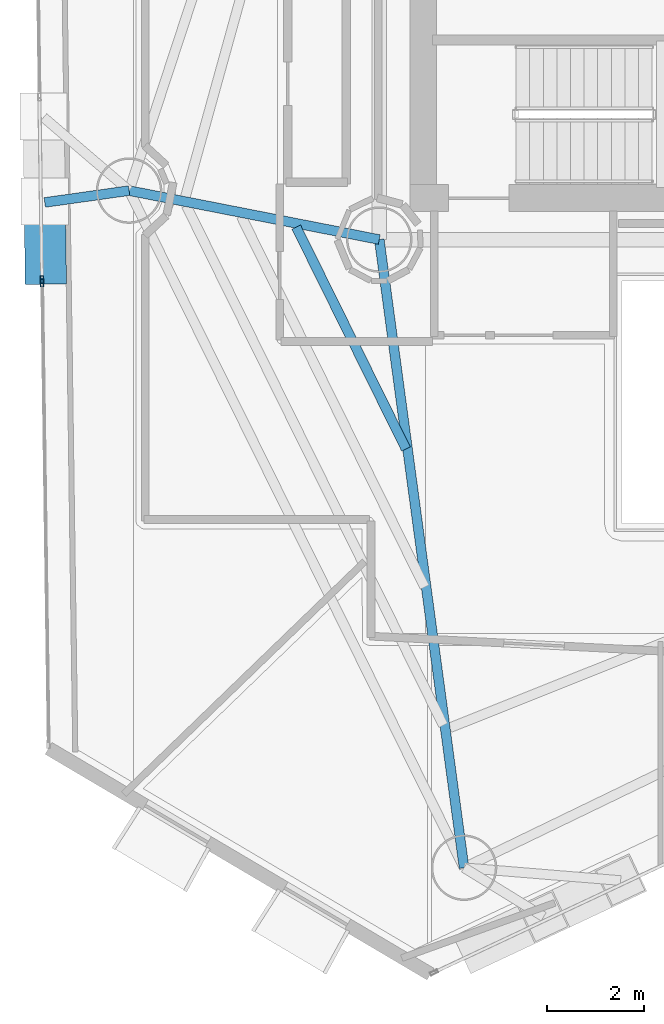
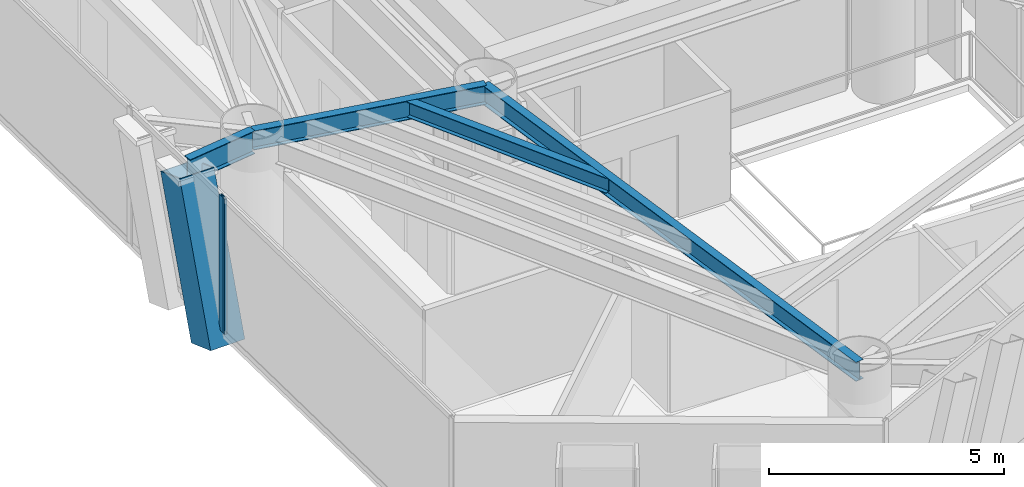
# One storey, part 4 of 20: 4 beams, 3 members, 2 elements without a shape of their own.
"""IFC4 building model written with IfcOpenShell, lengths in metres."""

from ifc_helpers import new_model, si_unit, direction, frame, origin, origin_2d, place, context, subcontext, project, spatial, hollow_rectangle, i_section, extrude, material, layer, layer_set, material_profile, profile_set, type_object, element, aggregate, save


model = new_model("IFC4")

# Units and contexts
model_context = context("Model", 3, precision=1e-05, world=origin(), true_north=direction((0.0, 1.0)))
body_context = subcontext(model_context, "Body", "Model", "MODEL_VIEW")
ifc_project = project(units=[si_unit("LENGTHUNIT", "METRE"), si_unit("AREAUNIT", "SQUARE_METRE"), si_unit("VOLUMEUNIT", "CUBIC_METRE"), si_unit("PLANEANGLEUNIT", "RADIAN"), si_unit("MASSUNIT", "GRAM", prefix="KILO")], contexts=[model_context])

# Site, building, storey
site_placement = place(None, origin())
site = spatial("IfcSite", under=ifc_project, at=site_placement, CompositionType="ELEMENT")
building_placement = place(site_placement, origin())
building = spatial("IfcBuilding", under=site, at=building_placement, Name="Qianvela Tower", CompositionType="ELEMENT")
storey_placement = place(building_placement, frame((0.0, 0.0, 151.300048828125)))
storey = spatial("IfcBuildingStorey", under=building, at=storey_placement, Name="L38", CompositionType="ELEMENT", Elevation=151.300048828125)

# Beams
ifc_material_1 = material(Name="Steel Q355B", Category="steel")
ifc_material_profile_1 = material_profile(ifc_material_1, i_section(OverallWidth=0.199951171875, OverallDepth=0.39990234375, WebThickness=0.008056640625, FlangeThickness=0.012939453125, at=origin_2d()), Name="HN400x200x8x13")
ifc_profile_set_1 = profile_set([ifc_material_profile_1], Name="Steel Q355B")
beam_type_1 = type_object("IfcBeamType", Name="BM-HN400-JOIST", PredefinedType="JOIST", material=ifc_profile_set_1)
beam_1_placement = place(storey_placement, frame((26.89013671875, 24.10693359375, 3.31787109375), z_axis=(0.443417880161, -0.896315002415, 0.0), x_axis=(0.896315002415, 0.443417880161, 0.0)))
element("IfcBeam", 1, at=beam_1_placement, inside=storey, type_object=beam_type_1, Name="L38 Secondary Composite Floor Joist 4.1", PredefinedType="JOIST", context=body_context, shape_type="SweptSolid", body=[
    extrude(i_section(OverallWidth=0.199951171875, OverallDepth=0.39990234375, WebThickness=0.008056640625, FlangeThickness=0.012939453125, at=origin_2d()), origin(), (0.0, 0.0, 1.0), 5.099609375),
])
ifc_material_2 = material(Name="Steel Q355B", Category="steel")
ifc_material_profile_2 = material_profile(ifc_material_2, i_section(OverallWidth=0.199951171875, OverallDepth=0.5, WebThickness=0.010009765625, FlangeThickness=0.01611328125, at=origin_2d()), Name="HN500x200x10x16")
ifc_profile_set_2 = profile_set([ifc_material_profile_2], Name="Steel Q355B")
beam_type_2 = type_object("IfcBeamType", Name="BM-HN500-GIRD", PredefinedType="BEAM", material=ifc_profile_set_2)
beam_2_placement = place(storey_placement, frame((28.60009765625, 23.85009765625, 3.26806640625), z_axis=(-0.98137875074, 0.192082658238, 0.0), x_axis=(-0.192082658238, -0.98137875074, 0.0)))
element("IfcBeam", 2, at=beam_2_placement, inside=storey, type_object=beam_type_2, Name="L38 Radial Primary Floor Girder 4", PredefinedType="BEAM", context=body_context, shape_type="SweptSolid", body=[
    extrude(i_section(OverallWidth=0.199951171875, OverallDepth=0.5, WebThickness=0.010009765625, FlangeThickness=0.01611328125, at=origin_2d()), origin(), (0.0, 0.0, 1.0), 5.251953125),
])
beam_3_placement = place(storey_placement, frame((28.60009765625, 23.85009765625, 3.26806640625), z_axis=(0.133769024854, -0.991012536747, 0.0), x_axis=(0.991012536747, 0.133769024854, 0.0)))
element("IfcBeam", 3, at=beam_3_placement, inside=storey, type_object=beam_type_2, Name="L38 Radial Primary Floor Girder 5", PredefinedType="BEAM", context=body_context, shape_type="SweptSolid", body=[
    extrude(i_section(OverallWidth=0.199951171875, OverallDepth=0.5, WebThickness=0.010009765625, FlangeThickness=0.01611328125, at=origin_2d()), origin(), (0.0, 0.0, 1.0), 13.05859375),
])
ifc_material_3 = material(Name="Steel Q355B", Category="steel")
ifc_material_profile_3 = material_profile(ifc_material_3, i_section(OverallWidth=0.199951171875, OverallDepth=0.60009765625, WebThickness=0.010986328125, FlangeThickness=0.01708984375, at=origin_2d()), Name="HN600x200x11x17")
ifc_profile_set_3 = profile_set([ifc_material_profile_3], Name="Steel Q355B")
beam_type_3 = type_object("IfcBeamType", Name="BM-HN600-GIRD", PredefinedType="BEAM", material=ifc_profile_set_3)
beam_4_placement = place(storey_placement, frame((23.446044921875, 24.85888671875, 3.218017578125), z_axis=(-0.990272461943, -0.139141838126, 0.0), x_axis=(0.139141838126, -0.990272461943, 0.0)))
element("IfcBeam", 4, at=beam_4_placement, inside=storey, type_object=beam_type_3, Name="L38 Mega-Brace Column Tie Bracket F2-2", PredefinedType="BEAM", context=body_context, shape_type="SweptSolid", body=[
    extrude(i_section(OverallWidth=0.199951171875, OverallDepth=0.60009765625, WebThickness=0.010986328125, FlangeThickness=0.01708984375, at=origin_2d()), origin(), (0.0, 0.0, 1.0), 1.754638671875),
])

# Curtain wall, member
ifc_material_4 = material(Name="Anodised Architectural Aluminium and Insulated Spandrel Panel", Category="aluminium")
ifc_layer_1 = layer(ifc_material_4, 0.179931640625)
ifc_layer_set_1 = layer_set([ifc_layer_1], Name="Anodised Architectural Aluminium and Insulated Spandrel Panel")
curtain_wall_type_1 = type_object("IfcCurtainWallType", Name="CW-BRACEBAY", PredefinedType="USERDEFINED", material=ifc_layer_set_1)
curtain_wall_1_placement = place(storey_placement, origin())
curtain_wall_1 = element("IfcCurtainWall", 5, at=curtain_wall_1_placement, inside=storey, type_object=curtain_wall_type_1, Name="L38 CW-BRACEBAY Curtain Wall 04B", ObjectType="CURTAIN_WALL_SYSTEM", PredefinedType="USERDEFINED")
ifc_material_5 = material(Name="Anodised Architectural Aluminium 6063-T6", Category="aluminium")
ifc_material_profile_4 = material_profile(ifc_material_5, hollow_rectangle(XDim=0.06494140625, YDim=0.159912109375, WallThickness=0.0048828125, at=origin_2d()), Name="ALU-MULL-65x160")
ifc_profile_set_4 = profile_set([ifc_material_profile_4], Name="Anodised Architectural Aluminium 6063-T6")
member_type_1 = type_object("IfcMemberType", Name="CW-BRACEBAY-MULL", PredefinedType="MULLION", material=ifc_profile_set_4)
member_1_placement = place(storey_placement, frame((21.650634765625, 23.02197265625, 0.0), z_axis=(0.0, 0.0, 1.0), x_axis=(0.999902432051, 0.013968764388, 0.0)))
member_1 = element("IfcMember", 6, at=member_1_placement, type_object=member_type_1, Name="CW-9 mullion 2", PredefinedType="MULLION", context=body_context, shape_type="SweptSolid", body=[
    extrude(hollow_rectangle(XDim=0.06494140625, YDim=0.159912109375, WallThickness=0.0048828125, at=origin_2d()), origin(), (0.0, 0.0, 1.0), 3.52001953125),
])
aggregate(curtain_wall_1, [member_1])

ifc_material_6 = material(Name="Anodised Architectural Aluminium and Low-E Glass", Category="aluminium")
ifc_layer_2 = layer(ifc_material_6, 0.169921875)
ifc_layer_set_2 = layer_set([ifc_layer_2], Name="Anodised Architectural Aluminium and Low-E Glass")
curtain_wall_type_2 = type_object("IfcCurtainWallType", Name="CW-COLIV-Z34", PredefinedType="USERDEFINED", material=ifc_layer_set_2)
curtain_wall_2_placement = place(storey_placement, origin())
curtain_wall_2 = element("IfcCurtainWall", 7, at=curtain_wall_2_placement, inside=storey, type_object=curtain_wall_type_2, Name="L38 CW-COLIV-Z34 Curtain Wall 04C", ObjectType="CURTAIN_WALL_SYSTEM", PredefinedType="USERDEFINED")
ifc_material_7 = material(Name="Anodised Architectural Aluminium 6063-T6", Category="aluminium")
ifc_material_profile_5 = material_profile(ifc_material_7, hollow_rectangle(XDim=0.06494140625, YDim=0.159912109375, WallThickness=0.0048828125, at=origin_2d()), Name="ALU-MULL-65x160")
ifc_profile_set_5 = profile_set([ifc_material_profile_5], Name="Anodised Architectural Aluminium 6063-T6")
member_type_2 = type_object("IfcMemberType", Name="CW-COLIV-Z34-MULL", PredefinedType="MULLION", material=ifc_profile_set_5)
member_2_placement = place(storey_placement, frame((21.651611328125, 22.956787109375, 0.0), z_axis=(0.0, 0.0, 1.0), x_axis=(0.999902589712, 0.013957474238, 0.0)))
member_2 = element("IfcMember", 8, at=member_2_placement, type_object=member_type_2, Name="CW-4 mullion 1", PredefinedType="MULLION", context=body_context, shape_type="SweptSolid", body=[
    extrude(hollow_rectangle(XDim=0.06494140625, YDim=0.159912109375, WallThickness=0.0048828125, at=origin_2d()), origin(), (0.0, 0.0, 1.0), 3.52001953125),
])
aggregate(curtain_wall_2, [member_2])

# Member
ifc_material_8 = material(Name="Steel Q420GJC", Category="steel")
ifc_material_profile_6 = material_profile(ifc_material_8, hollow_rectangle(XDim=0.85009765625, YDim=0.85009765625, WallThickness=0.031982421875, at=origin_2d()), Name="MBOX-850x850x32")
ifc_profile_set_6 = profile_set([ifc_material_profile_6], Name="Steel Q420GJC")
member_type_3 = type_object("IfcMemberType", Name="MBR-MBRACE-850", PredefinedType="BRACE", material=ifc_profile_set_6)
member_3_placement = place(storey_placement, frame((21.726318359375, 23.3330078125, -0.48193359375), z_axis=(-0.004551473774, 0.327332017993, 0.944898425273), x_axis=(-0.999903342814, -0.01390341791, 0.0)))
element("IfcMember", 9, at=member_3_placement, inside=storey, type_object=member_type_3, Name="L38 Tier 6 Exterior Mega-Brace F2B", PredefinedType="BRACE", context=body_context, shape_type="SweptSolid", body=[
    extrude(hollow_rectangle(XDim=0.85009765625, YDim=0.85009765625, WallThickness=0.031982421875, at=origin_2d()), origin(), (0.0, 0.0, 1.0), 3.915771484375),
])

save(model, "model.ifc")
